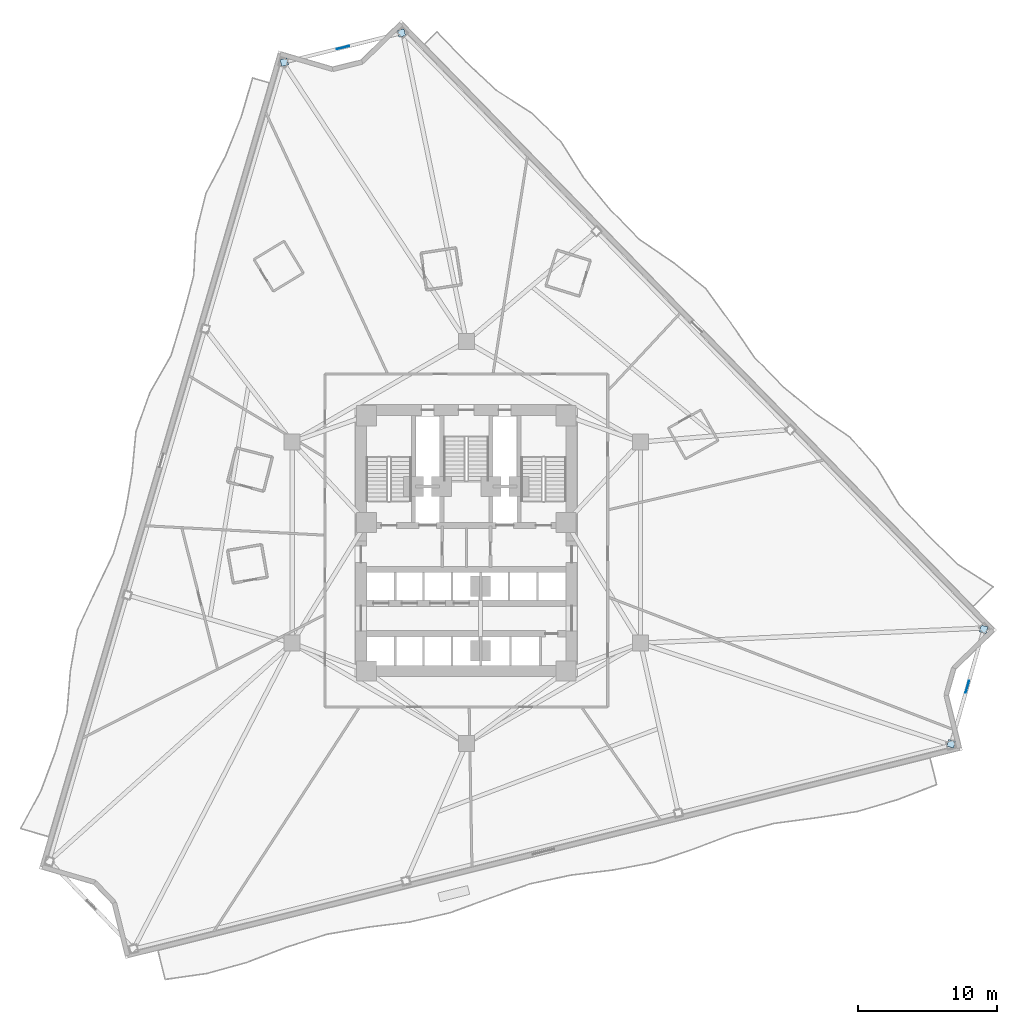
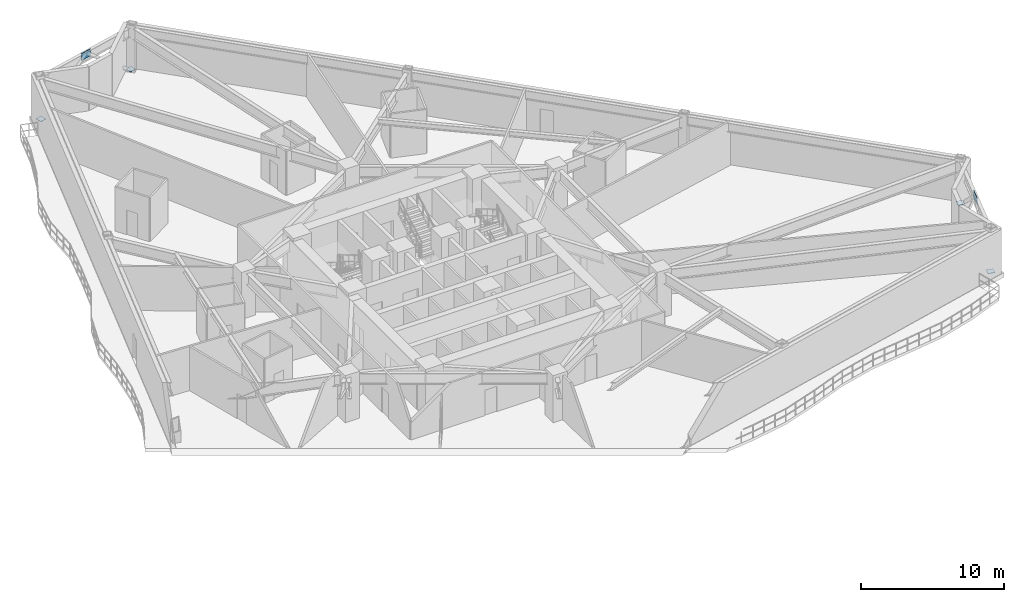
# One storey, part 5 of 13: 6 plates.
"""IFC4 building model written with IfcOpenShell, lengths in metres."""

from ifc_helpers import new_model, si_unit, direction, frame, origin, origin_2d, place, context, subcontext, project, spatial, rectangle, extrude, material, layer, layer_set, type_object, element, save


model = new_model("IFC4")

# Units and contexts
model_context = context("Model", 3, precision=1e-05, world=origin(), true_north=direction((0.0, 1.0)))
body_context = subcontext(model_context, "Body", "Model", "MODEL_VIEW")
ifc_project = project(units=[si_unit("LENGTHUNIT", "METRE"), si_unit("AREAUNIT", "SQUARE_METRE"), si_unit("VOLUMEUNIT", "CUBIC_METRE"), si_unit("PLANEANGLEUNIT", "RADIAN"), si_unit("MASSUNIT", "GRAM", prefix="KILO")], contexts=[model_context])

# Site, building, storey
site_placement = place(None, origin())
site = spatial("IfcSite", under=ifc_project, at=site_placement, CompositionType="ELEMENT")
building_placement = place(site_placement, origin())
building = spatial("IfcBuilding", under=site, at=building_placement, Name="Apsidion Concourse Tower", CompositionType="ELEMENT")
storey_placement = place(building_placement, frame((0.0, 0.0, 95.0)))
storey = spatial("IfcBuildingStorey", under=building, at=storey_placement, Name="L21", CompositionType="ELEMENT", Elevation=95.0)

# Plates
ifc_material = material(Name="Structural steel ASTM A572 Grade 50", Category="steel")
ifc_layer_1 = layer(ifc_material, 0.034912109375)
ifc_layer_set_1 = layer_set([ifc_layer_1], Name="Structural steel ASTM A572 Grade 50")
plate_type_1 = type_object("IfcPlateType", Name="PL-ENDCAP-35", PredefinedType="USERDEFINED", material=ifc_layer_set_1)
for number, where, z_axis, x_axis, name in (
    (1, (34.966552734375, -14.5126953125, 0.1025390625), (0.0, 0.0, 1.0), (0.272951935517, 0.962027671586, 0.0), "L21 Chevron Base End Plate KNB-2-1"),
    (2, (37.309814453125, -6.255859375, 0.1025390625), (0.0, 0.0, 1.0), (0.272951935517, 0.962027671586, 0.0), "L21 Chevron Base End Plate KNB-2-2"),
    (3, (-4.6748046875, 36.74755859375, 0.1025390625), (0.0, 0.0, 1.0), (0.970295726276, 0.2419218956, 0.0), "L21 Chevron Base End Plate KNB-3-1"),
    (4, (-13.12451171875, 34.640869140625, 0.1025390625), (0.0, 0.0, 1.0), (0.970295726276, 0.2419218956, 0.0), "L21 Chevron Base End Plate KNB-3-2"),
):
    element("IfcPlate", number, at=place(storey_placement, frame(where, z_axis=z_axis, x_axis=x_axis)), inside=storey, type_object=plate_type_1, Name=name, ObjectType="FLANGE_PLATE", PredefinedType="USERDEFINED", context=body_context, shape_type="SweptSolid", body=[
        extrude(rectangle(XDim=0.5, YDim=0.5, at=origin_2d()), origin(), (0.0, 0.0, 1.0), 0.034912109375),
    ])
ifc_layer_2 = layer(ifc_material, 0.0400390625)
ifc_layer_set_2 = layer_set([ifc_layer_2], Name="Structural steel ASTM A572 Grade 50")
plate_type_2 = type_object("IfcPlateType", Name="PL-GUSSET-40", PredefinedType="SHEET", material=ifc_layer_set_2)
for number, where, z_axis, x_axis, name in (
    (5, (36.13818359375, -10.38427734375, 3.169921875), (0.0, 0.0, 1.0), (0.272951935517, 0.962027671586, 0.0), "L21 Chevron Apex Node Gusset Plate KNA-2"),
    (6, (-8.8994140625, 35.694091796875, 3.169921875), (0.0, 0.0, 1.0), (0.970295726276, 0.2419218956, 0.0), "L21 Chevron Apex Node Gusset Plate KNA-3"),
):
    element("IfcPlate", number, at=place(storey_placement, frame(where, z_axis=z_axis, x_axis=x_axis)), inside=storey, type_object=plate_type_2, Name=name, PredefinedType="SHEET", context=body_context, shape_type="SweptSolid", body=[
        extrude(rectangle(XDim=0.89990234375, YDim=0.0400390625, at=origin_2d()), origin(), (0.0, 0.0, 1.0), 0.60009765625),
    ])

save(model, "model.ifc")
